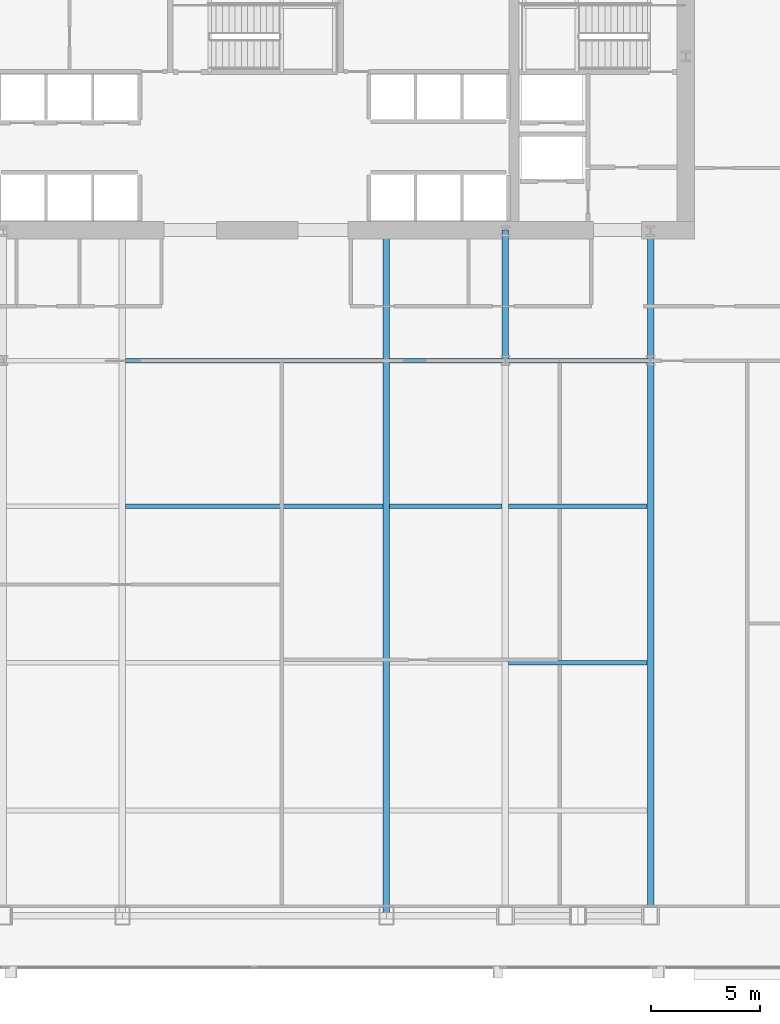
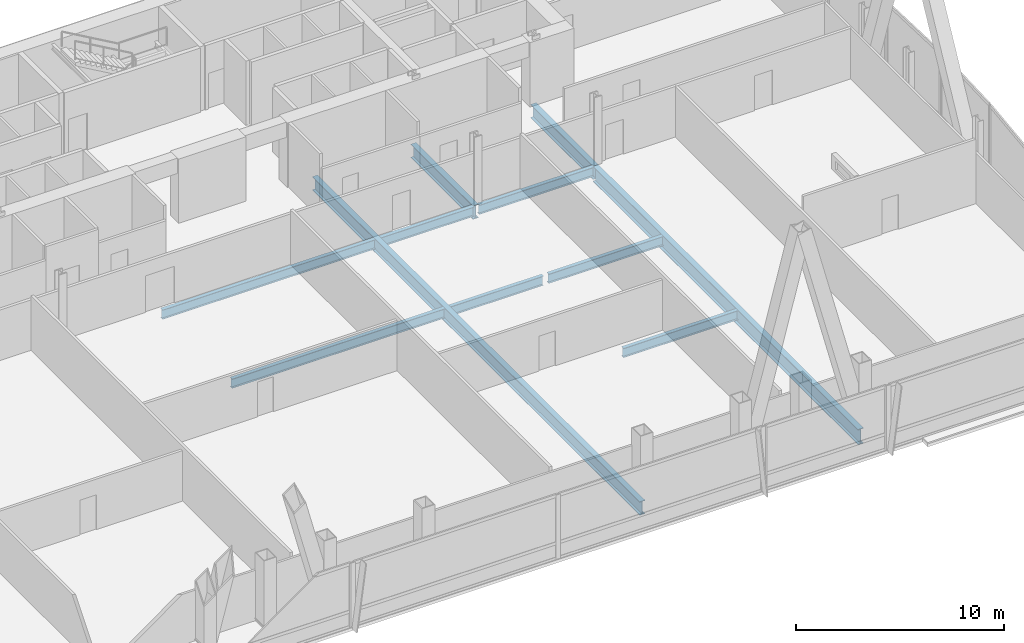
# One storey, part 15 of 32: 11 beams.
"""IFC4 building model written with IfcOpenShell, lengths in metres."""

from ifc_helpers import new_model, si_unit, direction, frame, origin, origin_2d, place, context, subcontext, project, spatial, i_section, extrude, material, material_profile, profile_set, type_object, element, save


model = new_model("IFC4")

# Units and contexts
model_context = context("Model", 3, precision=1e-05, world=origin(), true_north=direction((0.0, 1.0)))
body_context = subcontext(model_context, "Body", "Model", "MODEL_VIEW")
ifc_project = project(units=[si_unit("LENGTHUNIT", "METRE"), si_unit("AREAUNIT", "SQUARE_METRE"), si_unit("VOLUMEUNIT", "CUBIC_METRE"), si_unit("PLANEANGLEUNIT", "RADIAN"), si_unit("MASSUNIT", "GRAM", prefix="KILO")], contexts=[model_context])

# Site, building, storey
site_placement = place(None, origin())
site = spatial("IfcSite", under=ifc_project, at=site_placement, CompositionType="ELEMENT")
building_placement = place(site_placement, origin())
building = spatial("IfcBuilding", under=site, at=building_placement, Name="Khoronbel Lancet Exchange", CompositionType="ELEMENT")
storey_placement = place(building_placement, frame((0.0, 0.0, 81.800048828125)))
storey = spatial("IfcBuildingStorey", under=building, at=storey_placement, Name="L19", CompositionType="ELEMENT", Elevation=81.800048828125)

# Beams
ifc_material = material(Name="Steel S355", Category="steel")
ifc_material_profile_1 = material_profile(ifc_material, i_section(OverallWidth=0.300048828125, OverallDepth=0.89990234375, WebThickness=0.0185546875, FlangeThickness=0.034912109375, at=origin_2d()), Name="HEB 900")
ifc_profile_set_1 = profile_set([ifc_material_profile_1], Name="Steel S355")
beam_type_1 = type_object("IfcBeamType", Name="BM-BG1", PredefinedType="BEAM", material=ifc_profile_set_1)
beam_1_placement = place(storey_placement, frame((54.675048828125, 10.14990234375, -0.630126953125), z_axis=(0.0, 1.0, 0.0), x_axis=(-1.0, 0.0, 0.0)))
element("IfcBeam", 1, at=beam_1_placement, inside=storey, type_object=beam_type_1, Name="Level L19 south primary girder GS6", PredefinedType="BEAM", context=body_context, shape_type="SweptSolid", body=[
    extrude(i_section(OverallWidth=0.300048828125, OverallDepth=0.89990234375, WebThickness=0.0185546875, FlangeThickness=0.034912109375, at=origin_2d()), origin(), (0.0, 0.0, 1.0), 25.550048828125),
])
ifc_material_profile_2 = material_profile(ifc_material, i_section(OverallWidth=0.300048828125, OverallDepth=0.800048828125, WebThickness=0.017578125, FlangeThickness=0.032958984375, at=origin_2d()), Name="HEB 800")
ifc_profile_set_2 = profile_set([ifc_material_profile_2], Name="Steel S355")
beam_type_2 = type_object("IfcBeamType", Name="BM-BG2", PredefinedType="BEAM", material=ifc_profile_set_2)
beam_2_placement = place(storey_placement, frame((42.52490234375, 10.14990234375, -0.580078125), z_axis=(0.0, 1.0, 0.0), x_axis=(-1.0, 0.0, 0.0)))
element("IfcBeam", 2, at=beam_2_placement, inside=storey, type_object=beam_type_2, Name="Level L19 primary floor girder G4", PredefinedType="BEAM", context=body_context, shape_type="SweptSolid", body=[
    extrude(i_section(OverallWidth=0.300048828125, OverallDepth=0.800048828125, WebThickness=0.017578125, FlangeThickness=0.032958984375, at=origin_2d()), origin(), (0.0, 0.0, 1.0), 31.550048828125),
])
for number, where, z_axis, x_axis, name in (
    (3, (48.0, 35.699951171875, -0.580078125), (0.0, 1.0, 0.0), (-1.0, 0.0, 0.0), "Level L19 spine tie girder GN5"),
    (4, (54.675048828125, 35.699951171875, -0.580078125), (0.0, 1.0, 0.0), (-1.0, 0.0, 0.0), "Level L19 spine tie girder GN6"),
):
    element("IfcBeam", number, at=place(storey_placement, frame(where, z_axis=z_axis, x_axis=x_axis)), inside=storey, type_object=beam_type_2, Name=name, PredefinedType="BEAM", context=body_context, shape_type="SweptSolid", body=[
        extrude(i_section(OverallWidth=0.300048828125, OverallDepth=0.800048828125, WebThickness=0.017578125, FlangeThickness=0.032958984375, at=origin_2d()), origin(), (0.0, 0.0, 1.0), 6.0),
    ])
ifc_material_profile_3 = material_profile(ifc_material, i_section(OverallWidth=0.2099609375, OverallDepth=0.550048828125, WebThickness=0.010986328125, FlangeThickness=0.01708984375, at=origin_2d()), Name="IPE 550")
ifc_profile_set_3 = profile_set([ifc_material_profile_3], Name="Steel S355")
beam_type_3 = type_object("IfcBeamType", Name="BM-BJ2", PredefinedType="JOIST", material=ifc_profile_set_3)
beam_3_placement = place(storey_placement, frame((48.14990234375, 21.800048828125, -0.455078125), z_axis=(1.0, 0.0, 0.0), x_axis=(0.0, 1.0, 0.0)))
element("IfcBeam", 5, at=beam_3_placement, inside=storey, type_object=beam_type_3, Name="Level L19 secondary composite joist J10", PredefinedType="JOIST", context=body_context, shape_type="SweptSolid", body=[
    extrude(i_section(OverallWidth=0.2099609375, OverallDepth=0.550048828125, WebThickness=0.010986328125, FlangeThickness=0.01708984375, at=origin_2d()), origin(), (0.0, 0.0, 1.0), 6.375),
])
beam_4_placement = place(storey_placement, frame((30.52490234375, 29.0, -0.455078125), z_axis=(1.0, 0.0, 0.0), x_axis=(0.0, 1.0, 0.0)))
element("IfcBeam", 6, at=beam_4_placement, inside=storey, type_object=beam_type_3, Name="Level L19 secondary composite joist J13", PredefinedType="JOIST", context=body_context, shape_type="SweptSolid", body=[
    extrude(i_section(OverallWidth=0.2099609375, OverallDepth=0.550048828125, WebThickness=0.010986328125, FlangeThickness=0.01708984375, at=origin_2d()), origin(), (0.0, 0.0, 1.0), 11.85009765625),
])
beam_5_placement = place(storey_placement, frame((42.675048828125, 29.0, -0.455078125), z_axis=(1.0, 0.0, 0.0), x_axis=(0.0, 1.0, 0.0)))
element("IfcBeam", 7, at=beam_5_placement, inside=storey, type_object=beam_type_3, Name="Level L19 secondary composite joist J14", PredefinedType="JOIST", context=body_context, shape_type="SweptSolid", body=[
    extrude(i_section(OverallWidth=0.2099609375, OverallDepth=0.550048828125, WebThickness=0.010986328125, FlangeThickness=0.01708984375, at=origin_2d()), origin(), (0.0, 0.0, 1.0), 5.175048828125),
])
beam_6_placement = place(storey_placement, frame((48.14990234375, 29.0, -0.455078125), z_axis=(1.0, 0.0, 0.0), x_axis=(0.0, 1.0, 0.0)))
element("IfcBeam", 8, at=beam_6_placement, inside=storey, type_object=beam_type_3, Name="Level L19 secondary composite joist J15", PredefinedType="JOIST", context=body_context, shape_type="SweptSolid", body=[
    extrude(i_section(OverallWidth=0.2099609375, OverallDepth=0.550048828125, WebThickness=0.010986328125, FlangeThickness=0.01708984375, at=origin_2d()), origin(), (0.0, 0.0, 1.0), 6.375),
])
beam_7_placement = place(storey_placement, frame((30.52490234375, 35.699951171875, -0.455078125), z_axis=(1.0, 0.0, 0.0), x_axis=(0.0, 1.0, 0.0)))
element("IfcBeam", 9, at=beam_7_placement, inside=storey, type_object=beam_type_3, Name="Level L19 secondary composite joist J18", PredefinedType="JOIST", context=body_context, shape_type="SweptSolid", body=[
    extrude(i_section(OverallWidth=0.2099609375, OverallDepth=0.550048828125, WebThickness=0.010986328125, FlangeThickness=0.01708984375, at=origin_2d()), origin(), (0.0, 0.0, 1.0), 11.85009765625),
])
beam_8_placement = place(storey_placement, frame((42.675048828125, 35.699951171875, -0.455078125), z_axis=(1.0, 0.0, 0.0), x_axis=(0.0, 1.0, 0.0)))
element("IfcBeam", 10, at=beam_8_placement, inside=storey, type_object=beam_type_3, Name="Level L19 secondary composite joist J19", PredefinedType="JOIST", context=body_context, shape_type="SweptSolid", body=[
    extrude(i_section(OverallWidth=0.2099609375, OverallDepth=0.550048828125, WebThickness=0.010986328125, FlangeThickness=0.01708984375, at=origin_2d()), origin(), (0.0, 0.0, 1.0), 5.175048828125),
])
beam_9_placement = place(storey_placement, frame((48.14990234375, 35.699951171875, -0.455078125), z_axis=(1.0, 0.0, 0.0), x_axis=(0.0, 1.0, 0.0)))
element("IfcBeam", 11, at=beam_9_placement, inside=storey, type_object=beam_type_3, Name="Level L19 secondary composite joist J20", PredefinedType="JOIST", context=body_context, shape_type="SweptSolid", body=[
    extrude(i_section(OverallWidth=0.2099609375, OverallDepth=0.550048828125, WebThickness=0.010986328125, FlangeThickness=0.01708984375, at=origin_2d()), origin(), (0.0, 0.0, 1.0), 6.375),
])

save(model, "model.ifc")
